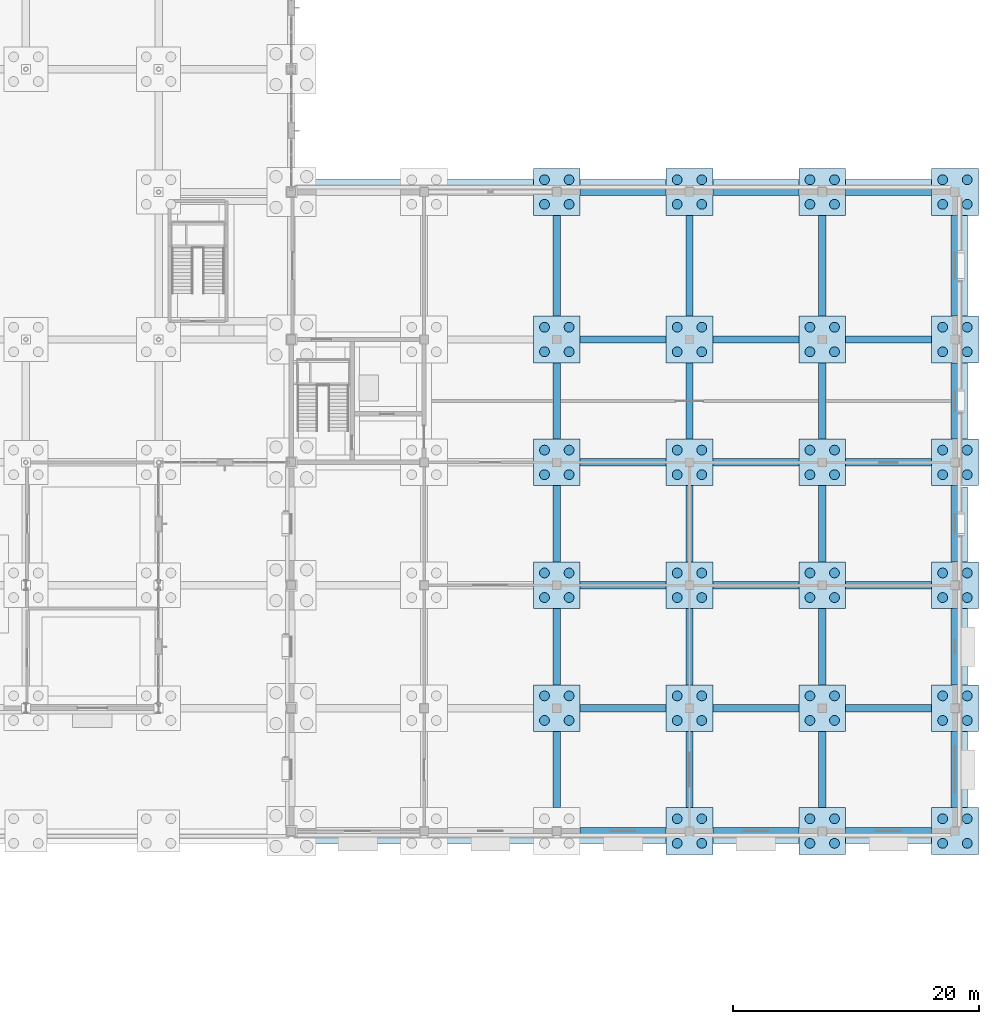
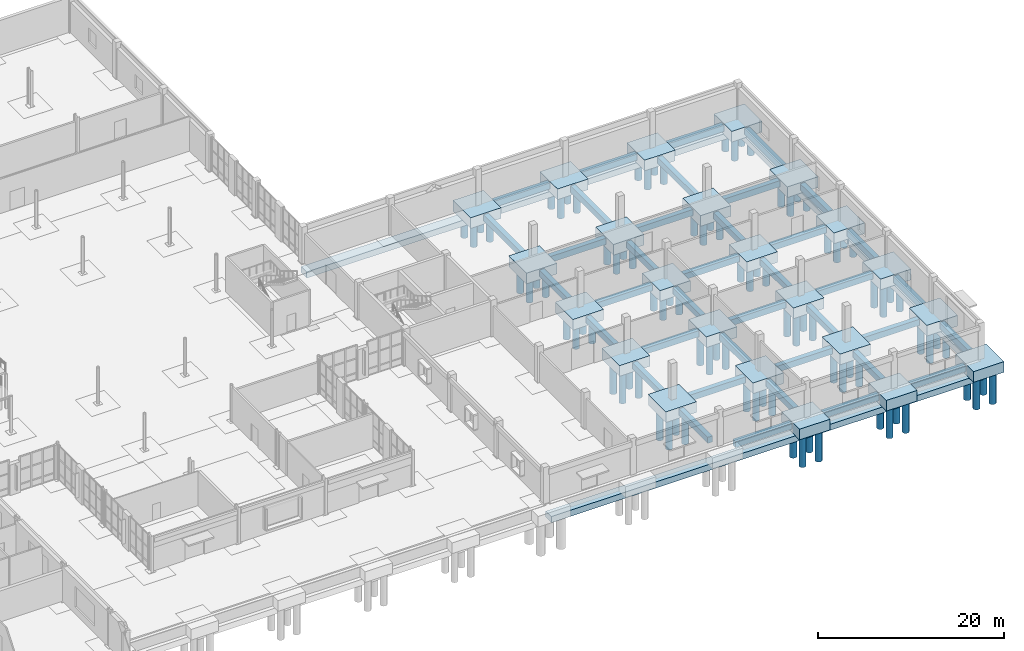
# One storey, part 7 of 73: 92 piles, 65 footings.
"""IFC4 building model written with IfcOpenShell, lengths in metres."""

from ifc_helpers import new_model, si_unit, direction, frame, origin, origin_2d, place, context, subcontext, project, spatial, rectangle, circle, extrude, material, material_profile, profile_set, type_object, element, save


model = new_model("IFC4")

# Units and contexts
model_context = context("Model", 3, precision=1e-05, world=origin(), true_north=direction((0.0, 1.0)))
body_context = subcontext(model_context, "Body", "Model", "MODEL_VIEW")
ifc_project = project(units=[si_unit("LENGTHUNIT", "METRE"), si_unit("AREAUNIT", "SQUARE_METRE"), si_unit("VOLUMEUNIT", "CUBIC_METRE"), si_unit("PLANEANGLEUNIT", "RADIAN"), si_unit("MASSUNIT", "GRAM", prefix="KILO")], contexts=[model_context])

# Site, building, storey
site_placement = place(None, origin())
site = spatial("IfcSite", under=ifc_project, at=site_placement, CompositionType="ELEMENT")
building_placement = place(site_placement, origin())
building = spatial("IfcBuilding", under=site, at=building_placement, Name="Tasgan Crest Museum", CompositionType="ELEMENT")
storey_placement = place(building_placement, origin())
storey = spatial("IfcBuildingStorey", under=building, at=storey_placement, Name="L00", CompositionType="ELEMENT", Elevation=0.0)

# Footings
ifc_material_1 = material(Name="Concrete C35/45", Category="concrete")
footing_type_1 = type_object("IfcFootingType", Name="FT-PC4-3800", PredefinedType="PILE_CAP", material=ifc_material_1)
for number, where, z_axis, x_axis, name in (
    (1, (129.60009765625, 20.0, -1.39990234375), (0.0, 0.0, 1.0), (1.0, 0.0, 0.0), "Pile cap 13/C"),
    (2, (129.60009765625, 30.0, -1.39990234375), (0.0, 0.0, 1.0), (1.0, 0.0, 0.0), "Pile cap 13/D"),
    (3, (129.60009765625, 40.0, -1.39990234375), (0.0, 0.0, 1.0), (1.0, 0.0, 0.0), "Pile cap 13/E"),
    (4, (129.60009765625, 50.0, -1.39990234375), (0.0, 0.0, 1.0), (1.0, 0.0, 0.0), "Pile cap 13/F"),
    (5, (129.60009765625, 62.0, -1.39990234375), (0.0, 0.0, 1.0), (1.0, 0.0, 0.0), "Pile cap 13/G"),
    (6, (140.39990234375, 10.0, -1.39990234375), (0.0, 0.0, 1.0), (1.0, 0.0, 0.0), "Pile cap 14/B"),
    (7, (140.39990234375, 20.0, -1.39990234375), (0.0, 0.0, 1.0), (1.0, 0.0, 0.0), "Pile cap 14/C"),
    (8, (140.39990234375, 30.0, -1.39990234375), (0.0, 0.0, 1.0), (1.0, 0.0, 0.0), "Pile cap 14/D"),
    (9, (140.39990234375, 40.0, -1.39990234375), (0.0, 0.0, 1.0), (1.0, 0.0, 0.0), "Pile cap 14/E"),
    (10, (140.39990234375, 50.0, -1.39990234375), (0.0, 0.0, 1.0), (1.0, 0.0, 0.0), "Pile cap 14/F"),
    (11, (140.39990234375, 62.0, -1.39990234375), (0.0, 0.0, 1.0), (1.0, 0.0, 0.0), "Pile cap 14/G"),
    (12, (151.199951171875, 10.0, -1.39990234375), (0.0, 0.0, 1.0), (1.0, 0.0, 0.0), "Pile cap 15/B"),
    (13, (151.199951171875, 20.0, -1.39990234375), (0.0, 0.0, 1.0), (1.0, 0.0, 0.0), "Pile cap 15/C"),
    (14, (151.199951171875, 30.0, -1.39990234375), (0.0, 0.0, 1.0), (1.0, 0.0, 0.0), "Pile cap 15/D"),
    (15, (151.199951171875, 40.0, -1.39990234375), (0.0, 0.0, 1.0), (1.0, 0.0, 0.0), "Pile cap 15/E"),
    (16, (151.199951171875, 50.0, -1.39990234375), (0.0, 0.0, 1.0), (1.0, 0.0, 0.0), "Pile cap 15/F"),
    (17, (151.199951171875, 62.0, -1.39990234375), (0.0, 0.0, 1.0), (1.0, 0.0, 0.0), "Pile cap 15/G"),
    (18, (162.0, 10.0, -1.39990234375), (0.0, 0.0, 1.0), (1.0, 0.0, 0.0), "Pile cap 16/B"),
    (19, (162.0, 20.0, -1.39990234375), (0.0, 0.0, 1.0), (1.0, 0.0, 0.0), "Pile cap 16/C"),
    (20, (162.0, 30.0, -1.39990234375), (0.0, 0.0, 1.0), (1.0, 0.0, 0.0), "Pile cap 16/D"),
    (21, (162.0, 40.0, -1.39990234375), (0.0, 0.0, 1.0), (1.0, 0.0, 0.0), "Pile cap 16/E"),
    (22, (162.0, 50.0, -1.39990234375), (0.0, 0.0, 1.0), (1.0, 0.0, 0.0), "Pile cap 16/F"),
    (23, (162.0, 62.0, -1.39990234375), (0.0, 0.0, 1.0), (1.0, 0.0, 0.0), "Pile cap 16/G"),
):
    element("IfcFooting", number, at=place(storey_placement, frame(where, z_axis=z_axis, x_axis=x_axis)), inside=storey, type_object=footing_type_1, Name=name, PredefinedType="PILE_CAP", context=body_context, shape_type="SweptSolid", body=[
        extrude(rectangle(XDim=3.800048828125, YDim=3.800048828125, at=origin_2d()), origin(), (0.0, 0.0, 1.0), 1.39990234375),
    ])
ifc_material_2 = material(Name="Concrete C35/45", Category="concrete")
ifc_material_profile_1 = material_profile(ifc_material_2, rectangle(XDim=1.199951171875, YDim=0.800048828125, at=origin_2d()), Name="SF 1200x800")
ifc_profile_set_1 = profile_set([ifc_material_profile_1], Name="Concrete C35/45")
footing_type_2 = type_object("IfcFootingType", Name="FT-SF-1200X800", PredefinedType="STRIP_FOOTING", material=ifc_profile_set_1)
footing_1_placement = place(storey_placement, frame((108.199951171875, 9.570068359375, -1.780029296875), z_axis=(1.0, 0.0, 0.0), x_axis=(0.0, 1.0, 0.0)))
element("IfcFooting", 24, at=footing_1_placement, inside=storey, type_object=footing_type_2, Name="Hillside plinth footing S-EAST", PredefinedType="STRIP_FOOTING", context=body_context, shape_type="SweptSolid", body=[
    extrude(rectangle(XDim=1.199951171875, YDim=0.800048828125, at=origin_2d()), origin(), (0.0, 0.0, 1.0), 53.60009765625),
])
footing_2_placement = place(storey_placement, frame((162.429931640625, 10.449951171875, -1.780029296875), z_axis=(0.0, 1.0, 0.0), x_axis=(-1.0, 0.0, 0.0)))
element("IfcFooting", 25, at=footing_2_placement, inside=storey, type_object=footing_type_2, Name="Hillside plinth footing E-LOW", PredefinedType="STRIP_FOOTING", context=body_context, shape_type="SweptSolid", body=[
    extrude(rectangle(XDim=1.199951171875, YDim=0.800048828125, at=origin_2d()), origin(), (0.0, 0.0, 1.0), 27.550048828125),
])
footing_3_placement = place(storey_placement, frame((162.429931640625, 38.199951171875, -1.780029296875), z_axis=(0.0, 1.0, 0.0), x_axis=(-1.0, 0.0, 0.0)))
element("IfcFooting", 26, at=footing_3_placement, inside=storey, type_object=footing_type_2, Name="Hillside plinth footing E-MID", PredefinedType="STRIP_FOOTING", context=body_context, shape_type="SweptSolid", body=[
    extrude(rectangle(XDim=1.199951171875, YDim=0.800048828125, at=origin_2d()), origin(), (0.0, 0.0, 1.0), 23.35009765625),
])
footing_4_placement = place(storey_placement, frame((108.35009765625, 62.429931640625, -1.780029296875), z_axis=(1.0, 0.0, 0.0), x_axis=(0.0, 1.0, 0.0)))
element("IfcFooting", 27, at=footing_4_placement, inside=storey, type_object=footing_type_2, Name="Hillside plinth footing N-EAST", PredefinedType="STRIP_FOOTING", context=body_context, shape_type="SweptSolid", body=[
    extrude(rectangle(XDim=1.199951171875, YDim=0.800048828125, at=origin_2d()), origin(), (0.0, 0.0, 1.0), 53.199951171875),
])
ifc_material_3 = material(Name="Concrete C35/45", Category="concrete")
ifc_material_profile_2 = material_profile(ifc_material_3, rectangle(XDim=0.60009765625, YDim=0.800048828125, at=origin_2d()), Name="TB 600x800")
ifc_profile_set_2 = profile_set([ifc_material_profile_2], Name="Concrete C35/45")
footing_type_3 = type_object("IfcFootingType", Name="FT-TB-600X800", PredefinedType="FOOTING_BEAM", material=ifc_profile_set_2)
for number, where, z_axis, x_axis, name in (
    (28, (131.5, 10.0, -0.550048828125), (1.0, 0.0, 0.0), (0.0, 1.0, 0.0), "Ground tie beam B 129.6-140.4"),
    (29, (142.300048828125, 10.0, -0.550048828125), (1.0, 0.0, 0.0), (0.0, 1.0, 0.0), "Ground tie beam B 140.4-151.2"),
    (30, (153.10009765625, 10.0, -0.550048828125), (1.0, 0.0, 0.0), (0.0, 1.0, 0.0), "Ground tie beam B 151.2-162.0"),
    (31, (131.5, 20.0, -0.550048828125), (1.0, 0.0, 0.0), (0.0, 1.0, 0.0), "Ground tie beam C 129.6-140.4"),
    (32, (142.300048828125, 20.0, -0.550048828125), (1.0, 0.0, 0.0), (0.0, 1.0, 0.0), "Ground tie beam C 140.4-151.2"),
    (33, (153.10009765625, 20.0, -0.550048828125), (1.0, 0.0, 0.0), (0.0, 1.0, 0.0), "Ground tie beam C 151.2-162.0"),
    (34, (131.5, 30.0, -0.550048828125), (1.0, 0.0, 0.0), (0.0, 1.0, 0.0), "Ground tie beam D 129.6-140.4"),
    (35, (142.300048828125, 30.0, -0.550048828125), (1.0, 0.0, 0.0), (0.0, 1.0, 0.0), "Ground tie beam D 140.4-151.2"),
    (36, (153.10009765625, 30.0, -0.550048828125), (1.0, 0.0, 0.0), (0.0, 1.0, 0.0), "Ground tie beam D 151.2-162.0"),
    (37, (131.5, 40.0, -0.550048828125), (1.0, 0.0, 0.0), (0.0, 1.0, 0.0), "Ground tie beam E 129.6-140.4"),
    (38, (142.300048828125, 40.0, -0.550048828125), (1.0, 0.0, 0.0), (0.0, 1.0, 0.0), "Ground tie beam E 140.4-151.2"),
    (39, (153.10009765625, 40.0, -0.550048828125), (1.0, 0.0, 0.0), (0.0, 1.0, 0.0), "Ground tie beam E 151.2-162.0"),
    (40, (131.5, 50.0, -0.550048828125), (1.0, 0.0, 0.0), (0.0, 1.0, 0.0), "Ground tie beam F 129.6-140.4"),
    (41, (142.300048828125, 50.0, -0.550048828125), (1.0, 0.0, 0.0), (0.0, 1.0, 0.0), "Ground tie beam F 140.4-151.2"),
    (42, (153.10009765625, 50.0, -0.550048828125), (1.0, 0.0, 0.0), (0.0, 1.0, 0.0), "Ground tie beam F 151.2-162.0"),
    (43, (131.5, 62.0, -0.550048828125), (1.0, 0.0, 0.0), (0.0, 1.0, 0.0), "Ground tie beam G 129.6-140.4"),
    (44, (142.300048828125, 62.0, -0.550048828125), (1.0, 0.0, 0.0), (0.0, 1.0, 0.0), "Ground tie beam G 140.4-151.2"),
    (45, (153.10009765625, 62.0, -0.550048828125), (1.0, 0.0, 0.0), (0.0, 1.0, 0.0), "Ground tie beam G 151.2-162.0"),
):
    element("IfcFooting", number, at=place(storey_placement, frame(where, z_axis=z_axis, x_axis=x_axis)), inside=storey, type_object=footing_type_3, Name=name, PredefinedType="FOOTING_BEAM", context=body_context, shape_type="SweptSolid", body=[
        extrude(rectangle(XDim=0.60009765625, YDim=0.800048828125, at=origin_2d()), origin(), (0.0, 0.0, 1.0), 7.0),
    ])
for number, where, z_axis, x_axis, name in (
    (46, (129.60009765625, 11.89990234375, -0.550048828125), (0.0, 1.0, 0.0), (-1.0, 0.0, 0.0), "Ground tie beam 13 10.0-20.0"),
    (47, (129.60009765625, 21.89990234375, -0.550048828125), (0.0, 1.0, 0.0), (-1.0, 0.0, 0.0), "Ground tie beam 13 20.0-30.0"),
    (48, (129.60009765625, 31.89990234375, -0.550048828125), (0.0, 1.0, 0.0), (-1.0, 0.0, 0.0), "Ground tie beam 13 30.0-40.0"),
    (49, (129.60009765625, 41.89990234375, -0.550048828125), (0.0, 1.0, 0.0), (-1.0, 0.0, 0.0), "Ground tie beam 13 40.0-50.0"),
):
    element("IfcFooting", number, at=place(storey_placement, frame(where, z_axis=z_axis, x_axis=x_axis)), inside=storey, type_object=footing_type_3, Name=name, PredefinedType="FOOTING_BEAM", context=body_context, shape_type="SweptSolid", body=[
        extrude(rectangle(XDim=0.60009765625, YDim=0.800048828125, at=origin_2d()), origin(), (0.0, 0.0, 1.0), 6.2001953125),
    ])
footing_5_placement = place(storey_placement, frame((129.60009765625, 51.89990234375, -0.550048828125), z_axis=(0.0, 1.0, 0.0), x_axis=(-1.0, 0.0, 0.0)))
element("IfcFooting", 50, at=footing_5_placement, inside=storey, type_object=footing_type_3, Name="Ground tie beam 13 50.0-62.0", PredefinedType="FOOTING_BEAM", context=body_context, shape_type="SweptSolid", body=[
    extrude(rectangle(XDim=0.60009765625, YDim=0.800048828125, at=origin_2d()), origin(), (0.0, 0.0, 1.0), 8.2001953125),
])
for number, where, z_axis, x_axis, name in (
    (51, (140.39990234375, 11.89990234375, -0.550048828125), (0.0, 1.0, 0.0), (-1.0, 0.0, 0.0), "Ground tie beam 14 10.0-20.0"),
    (52, (140.39990234375, 21.89990234375, -0.550048828125), (0.0, 1.0, 0.0), (-1.0, 0.0, 0.0), "Ground tie beam 14 20.0-30.0"),
    (53, (140.39990234375, 31.89990234375, -0.550048828125), (0.0, 1.0, 0.0), (-1.0, 0.0, 0.0), "Ground tie beam 14 30.0-40.0"),
    (54, (140.39990234375, 41.89990234375, -0.550048828125), (0.0, 1.0, 0.0), (-1.0, 0.0, 0.0), "Ground tie beam 14 40.0-50.0"),
):
    element("IfcFooting", number, at=place(storey_placement, frame(where, z_axis=z_axis, x_axis=x_axis)), inside=storey, type_object=footing_type_3, Name=name, PredefinedType="FOOTING_BEAM", context=body_context, shape_type="SweptSolid", body=[
        extrude(rectangle(XDim=0.60009765625, YDim=0.800048828125, at=origin_2d()), origin(), (0.0, 0.0, 1.0), 6.2001953125),
    ])
footing_6_placement = place(storey_placement, frame((140.39990234375, 51.89990234375, -0.550048828125), z_axis=(0.0, 1.0, 0.0), x_axis=(-1.0, 0.0, 0.0)))
element("IfcFooting", 55, at=footing_6_placement, inside=storey, type_object=footing_type_3, Name="Ground tie beam 14 50.0-62.0", PredefinedType="FOOTING_BEAM", context=body_context, shape_type="SweptSolid", body=[
    extrude(rectangle(XDim=0.60009765625, YDim=0.800048828125, at=origin_2d()), origin(), (0.0, 0.0, 1.0), 8.2001953125),
])
for number, where, z_axis, x_axis, name in (
    (56, (151.199951171875, 11.89990234375, -0.550048828125), (0.0, 1.0, 0.0), (-1.0, 0.0, 0.0), "Ground tie beam 15 10.0-20.0"),
    (57, (151.199951171875, 21.89990234375, -0.550048828125), (0.0, 1.0, 0.0), (-1.0, 0.0, 0.0), "Ground tie beam 15 20.0-30.0"),
    (58, (151.199951171875, 31.89990234375, -0.550048828125), (0.0, 1.0, 0.0), (-1.0, 0.0, 0.0), "Ground tie beam 15 30.0-40.0"),
    (59, (151.199951171875, 41.89990234375, -0.550048828125), (0.0, 1.0, 0.0), (-1.0, 0.0, 0.0), "Ground tie beam 15 40.0-50.0"),
):
    element("IfcFooting", number, at=place(storey_placement, frame(where, z_axis=z_axis, x_axis=x_axis)), inside=storey, type_object=footing_type_3, Name=name, PredefinedType="FOOTING_BEAM", context=body_context, shape_type="SweptSolid", body=[
        extrude(rectangle(XDim=0.60009765625, YDim=0.800048828125, at=origin_2d()), origin(), (0.0, 0.0, 1.0), 6.2001953125),
    ])
footing_7_placement = place(storey_placement, frame((151.199951171875, 51.89990234375, -0.550048828125), z_axis=(0.0, 1.0, 0.0), x_axis=(-1.0, 0.0, 0.0)))
element("IfcFooting", 60, at=footing_7_placement, inside=storey, type_object=footing_type_3, Name="Ground tie beam 15 50.0-62.0", PredefinedType="FOOTING_BEAM", context=body_context, shape_type="SweptSolid", body=[
    extrude(rectangle(XDim=0.60009765625, YDim=0.800048828125, at=origin_2d()), origin(), (0.0, 0.0, 1.0), 8.2001953125),
])
for number, where, z_axis, x_axis, name in (
    (61, (162.0, 11.89990234375, -0.550048828125), (0.0, 1.0, 0.0), (-1.0, 0.0, 0.0), "Ground tie beam 16 10.0-20.0"),
    (62, (162.0, 21.89990234375, -0.550048828125), (0.0, 1.0, 0.0), (-1.0, 0.0, 0.0), "Ground tie beam 16 20.0-30.0"),
    (63, (162.0, 31.89990234375, -0.550048828125), (0.0, 1.0, 0.0), (-1.0, 0.0, 0.0), "Ground tie beam 16 30.0-40.0"),
    (64, (162.0, 41.89990234375, -0.550048828125), (0.0, 1.0, 0.0), (-1.0, 0.0, 0.0), "Ground tie beam 16 40.0-50.0"),
):
    element("IfcFooting", number, at=place(storey_placement, frame(where, z_axis=z_axis, x_axis=x_axis)), inside=storey, type_object=footing_type_3, Name=name, PredefinedType="FOOTING_BEAM", context=body_context, shape_type="SweptSolid", body=[
        extrude(rectangle(XDim=0.60009765625, YDim=0.800048828125, at=origin_2d()), origin(), (0.0, 0.0, 1.0), 6.2001953125),
    ])
footing_8_placement = place(storey_placement, frame((162.0, 51.89990234375, -0.550048828125), z_axis=(0.0, 1.0, 0.0), x_axis=(-1.0, 0.0, 0.0)))
element("IfcFooting", 65, at=footing_8_placement, inside=storey, type_object=footing_type_3, Name="Ground tie beam 16 50.0-62.0", PredefinedType="FOOTING_BEAM", context=body_context, shape_type="SweptSolid", body=[
    extrude(rectangle(XDim=0.60009765625, YDim=0.800048828125, at=origin_2d()), origin(), (0.0, 0.0, 1.0), 8.2001953125),
])

# Piles
ifc_material_4 = material(Name="Concrete C35/45", Category="concrete")
ifc_material_profile_3 = material_profile(ifc_material_4, circle(Radius=0.39990234375, at=origin_2d()), Name="PILE D800")
ifc_profile_set_3 = profile_set([ifc_material_profile_3], Name="Concrete C35/45")
pile_type = type_object("IfcPileType", Name="PILE-B800", PredefinedType="BORED", material=ifc_profile_set_3)
for number, where, z_axis, x_axis, name in (
    (66, (128.60009765625, 19.0, -1.39990234375), (0.0, 0.0, -1.0), (1.0, 0.0, 0.0), "Bored pile 13/C-P1"),
    (67, (130.60009765625, 19.0, -1.39990234375), (0.0, 0.0, -1.0), (1.0, 0.0, 0.0), "Bored pile 13/C-P2"),
    (68, (128.60009765625, 21.0, -1.39990234375), (0.0, 0.0, -1.0), (1.0, 0.0, 0.0), "Bored pile 13/C-P3"),
    (69, (130.60009765625, 21.0, -1.39990234375), (0.0, 0.0, -1.0), (1.0, 0.0, 0.0), "Bored pile 13/C-P4"),
    (70, (128.60009765625, 29.0, -1.39990234375), (0.0, 0.0, -1.0), (1.0, 0.0, 0.0), "Bored pile 13/D-P1"),
    (71, (130.60009765625, 29.0, -1.39990234375), (0.0, 0.0, -1.0), (1.0, 0.0, 0.0), "Bored pile 13/D-P2"),
    (72, (128.60009765625, 31.0, -1.39990234375), (0.0, 0.0, -1.0), (1.0, 0.0, 0.0), "Bored pile 13/D-P3"),
    (73, (130.60009765625, 31.0, -1.39990234375), (0.0, 0.0, -1.0), (1.0, 0.0, 0.0), "Bored pile 13/D-P4"),
):
    element("IfcPile", number, at=place(storey_placement, frame(where, z_axis=z_axis, x_axis=x_axis)), inside=storey, type_object=pile_type, Name=name, PredefinedType="BORED", context=body_context, shape_type="SweptSolid", body=[
        extrude(circle(Radius=0.39990234375, at=origin_2d()), origin(), (0.0, 0.0, 1.0), 4.199951171875),
    ])
for number, where, z_axis, x_axis, name in (
    (74, (128.60009765625, 39.0, -1.39990234375), (0.0, 0.0, -1.0), (1.0, 0.0, 0.0), "Bored pile 13/E-P1"),
    (75, (130.60009765625, 39.0, -1.39990234375), (0.0, 0.0, -1.0), (1.0, 0.0, 0.0), "Bored pile 13/E-P2"),
    (76, (128.60009765625, 41.0, -1.39990234375), (0.0, 0.0, -1.0), (1.0, 0.0, 0.0), "Bored pile 13/E-P3"),
    (77, (130.60009765625, 41.0, -1.39990234375), (0.0, 0.0, -1.0), (1.0, 0.0, 0.0), "Bored pile 13/E-P4"),
    (78, (128.60009765625, 49.0, -1.39990234375), (0.0, 0.0, -1.0), (1.0, 0.0, 0.0), "Bored pile 13/F-P1"),
    (79, (130.60009765625, 49.0, -1.39990234375), (0.0, 0.0, -1.0), (1.0, 0.0, 0.0), "Bored pile 13/F-P2"),
    (80, (128.60009765625, 51.0, -1.39990234375), (0.0, 0.0, -1.0), (1.0, 0.0, 0.0), "Bored pile 13/F-P3"),
    (81, (130.60009765625, 51.0, -1.39990234375), (0.0, 0.0, -1.0), (1.0, 0.0, 0.0), "Bored pile 13/F-P4"),
    (82, (128.60009765625, 61.0, -1.39990234375), (0.0, 0.0, -1.0), (1.0, 0.0, 0.0), "Bored pile 13/G-P1"),
    (83, (130.60009765625, 61.0, -1.39990234375), (0.0, 0.0, -1.0), (1.0, 0.0, 0.0), "Bored pile 13/G-P2"),
    (84, (128.60009765625, 63.0, -1.39990234375), (0.0, 0.0, -1.0), (1.0, 0.0, 0.0), "Bored pile 13/G-P3"),
    (85, (130.60009765625, 63.0, -1.39990234375), (0.0, 0.0, -1.0), (1.0, 0.0, 0.0), "Bored pile 13/G-P4"),
):
    element("IfcPile", number, at=place(storey_placement, frame(where, z_axis=z_axis, x_axis=x_axis)), inside=storey, type_object=pile_type, Name=name, PredefinedType="BORED", context=body_context, shape_type="SweptSolid", body=[
        extrude(circle(Radius=0.39990234375, at=origin_2d()), origin(), (0.0, 0.0, 1.0), 3.10009765625),
    ])
for number, where, z_axis, x_axis, name in (
    (86, (139.39990234375, 9.0, -1.39990234375), (0.0, 0.0, -1.0), (1.0, 0.0, 0.0), "Bored pile 14/B-P1"),
    (87, (141.39990234375, 9.0, -1.39990234375), (0.0, 0.0, -1.0), (1.0, 0.0, 0.0), "Bored pile 14/B-P2"),
    (88, (139.39990234375, 11.0, -1.39990234375), (0.0, 0.0, -1.0), (1.0, 0.0, 0.0), "Bored pile 14/B-P3"),
    (89, (141.39990234375, 11.0, -1.39990234375), (0.0, 0.0, -1.0), (1.0, 0.0, 0.0), "Bored pile 14/B-P4"),
    (90, (139.39990234375, 19.0, -1.39990234375), (0.0, 0.0, -1.0), (1.0, 0.0, 0.0), "Bored pile 14/C-P1"),
    (91, (141.39990234375, 19.0, -1.39990234375), (0.0, 0.0, -1.0), (1.0, 0.0, 0.0), "Bored pile 14/C-P2"),
    (92, (139.39990234375, 21.0, -1.39990234375), (0.0, 0.0, -1.0), (1.0, 0.0, 0.0), "Bored pile 14/C-P3"),
    (93, (141.39990234375, 21.0, -1.39990234375), (0.0, 0.0, -1.0), (1.0, 0.0, 0.0), "Bored pile 14/C-P4"),
    (94, (139.39990234375, 29.0, -1.39990234375), (0.0, 0.0, -1.0), (1.0, 0.0, 0.0), "Bored pile 14/D-P1"),
    (95, (141.39990234375, 29.0, -1.39990234375), (0.0, 0.0, -1.0), (1.0, 0.0, 0.0), "Bored pile 14/D-P2"),
    (96, (139.39990234375, 31.0, -1.39990234375), (0.0, 0.0, -1.0), (1.0, 0.0, 0.0), "Bored pile 14/D-P3"),
    (97, (141.39990234375, 31.0, -1.39990234375), (0.0, 0.0, -1.0), (1.0, 0.0, 0.0), "Bored pile 14/D-P4"),
):
    element("IfcPile", number, at=place(storey_placement, frame(where, z_axis=z_axis, x_axis=x_axis)), inside=storey, type_object=pile_type, Name=name, PredefinedType="BORED", context=body_context, shape_type="SweptSolid", body=[
        extrude(circle(Radius=0.39990234375, at=origin_2d()), origin(), (0.0, 0.0, 1.0), 4.199951171875),
    ])
for number, where, z_axis, x_axis, name in (
    (98, (139.39990234375, 39.0, -1.39990234375), (0.0, 0.0, -1.0), (1.0, 0.0, 0.0), "Bored pile 14/E-P1"),
    (99, (141.39990234375, 39.0, -1.39990234375), (0.0, 0.0, -1.0), (1.0, 0.0, 0.0), "Bored pile 14/E-P2"),
    (100, (139.39990234375, 41.0, -1.39990234375), (0.0, 0.0, -1.0), (1.0, 0.0, 0.0), "Bored pile 14/E-P3"),
    (101, (141.39990234375, 41.0, -1.39990234375), (0.0, 0.0, -1.0), (1.0, 0.0, 0.0), "Bored pile 14/E-P4"),
    (102, (139.39990234375, 49.0, -1.39990234375), (0.0, 0.0, -1.0), (1.0, 0.0, 0.0), "Bored pile 14/F-P1"),
    (103, (141.39990234375, 49.0, -1.39990234375), (0.0, 0.0, -1.0), (1.0, 0.0, 0.0), "Bored pile 14/F-P2"),
    (104, (139.39990234375, 51.0, -1.39990234375), (0.0, 0.0, -1.0), (1.0, 0.0, 0.0), "Bored pile 14/F-P3"),
    (105, (141.39990234375, 51.0, -1.39990234375), (0.0, 0.0, -1.0), (1.0, 0.0, 0.0), "Bored pile 14/F-P4"),
    (106, (139.39990234375, 61.0, -1.39990234375), (0.0, 0.0, -1.0), (1.0, 0.0, 0.0), "Bored pile 14/G-P1"),
    (107, (141.39990234375, 61.0, -1.39990234375), (0.0, 0.0, -1.0), (1.0, 0.0, 0.0), "Bored pile 14/G-P2"),
    (108, (139.39990234375, 63.0, -1.39990234375), (0.0, 0.0, -1.0), (1.0, 0.0, 0.0), "Bored pile 14/G-P3"),
    (109, (141.39990234375, 63.0, -1.39990234375), (0.0, 0.0, -1.0), (1.0, 0.0, 0.0), "Bored pile 14/G-P4"),
):
    element("IfcPile", number, at=place(storey_placement, frame(where, z_axis=z_axis, x_axis=x_axis)), inside=storey, type_object=pile_type, Name=name, PredefinedType="BORED", context=body_context, shape_type="SweptSolid", body=[
        extrude(circle(Radius=0.39990234375, at=origin_2d()), origin(), (0.0, 0.0, 1.0), 3.10009765625),
    ])
for number, where, z_axis, x_axis, name in (
    (110, (150.199951171875, 9.0, -1.39990234375), (0.0, 0.0, -1.0), (1.0, 0.0, 0.0), "Bored pile 15/B-P1"),
    (111, (152.199951171875, 9.0, -1.39990234375), (0.0, 0.0, -1.0), (1.0, 0.0, 0.0), "Bored pile 15/B-P2"),
    (112, (150.199951171875, 11.0, -1.39990234375), (0.0, 0.0, -1.0), (1.0, 0.0, 0.0), "Bored pile 15/B-P3"),
    (113, (152.199951171875, 11.0, -1.39990234375), (0.0, 0.0, -1.0), (1.0, 0.0, 0.0), "Bored pile 15/B-P4"),
    (114, (150.199951171875, 19.0, -1.39990234375), (0.0, 0.0, -1.0), (1.0, 0.0, 0.0), "Bored pile 15/C-P1"),
    (115, (152.199951171875, 19.0, -1.39990234375), (0.0, 0.0, -1.0), (1.0, 0.0, 0.0), "Bored pile 15/C-P2"),
    (116, (150.199951171875, 21.0, -1.39990234375), (0.0, 0.0, -1.0), (1.0, 0.0, 0.0), "Bored pile 15/C-P3"),
    (117, (152.199951171875, 21.0, -1.39990234375), (0.0, 0.0, -1.0), (1.0, 0.0, 0.0), "Bored pile 15/C-P4"),
    (118, (150.199951171875, 29.0, -1.39990234375), (0.0, 0.0, -1.0), (1.0, 0.0, 0.0), "Bored pile 15/D-P1"),
    (119, (152.199951171875, 29.0, -1.39990234375), (0.0, 0.0, -1.0), (1.0, 0.0, 0.0), "Bored pile 15/D-P2"),
    (120, (150.199951171875, 31.0, -1.39990234375), (0.0, 0.0, -1.0), (1.0, 0.0, 0.0), "Bored pile 15/D-P3"),
    (121, (152.199951171875, 31.0, -1.39990234375), (0.0, 0.0, -1.0), (1.0, 0.0, 0.0), "Bored pile 15/D-P4"),
):
    element("IfcPile", number, at=place(storey_placement, frame(where, z_axis=z_axis, x_axis=x_axis)), inside=storey, type_object=pile_type, Name=name, PredefinedType="BORED", context=body_context, shape_type="SweptSolid", body=[
        extrude(circle(Radius=0.39990234375, at=origin_2d()), origin(), (0.0, 0.0, 1.0), 4.199951171875),
    ])
for number, where, z_axis, x_axis, name in (
    (122, (150.199951171875, 39.0, -1.39990234375), (0.0, 0.0, -1.0), (1.0, 0.0, 0.0), "Bored pile 15/E-P1"),
    (123, (152.199951171875, 39.0, -1.39990234375), (0.0, 0.0, -1.0), (1.0, 0.0, 0.0), "Bored pile 15/E-P2"),
    (124, (150.199951171875, 41.0, -1.39990234375), (0.0, 0.0, -1.0), (1.0, 0.0, 0.0), "Bored pile 15/E-P3"),
    (125, (152.199951171875, 41.0, -1.39990234375), (0.0, 0.0, -1.0), (1.0, 0.0, 0.0), "Bored pile 15/E-P4"),
    (126, (150.199951171875, 49.0, -1.39990234375), (0.0, 0.0, -1.0), (1.0, 0.0, 0.0), "Bored pile 15/F-P1"),
    (127, (152.199951171875, 49.0, -1.39990234375), (0.0, 0.0, -1.0), (1.0, 0.0, 0.0), "Bored pile 15/F-P2"),
    (128, (150.199951171875, 51.0, -1.39990234375), (0.0, 0.0, -1.0), (1.0, 0.0, 0.0), "Bored pile 15/F-P3"),
    (129, (152.199951171875, 51.0, -1.39990234375), (0.0, 0.0, -1.0), (1.0, 0.0, 0.0), "Bored pile 15/F-P4"),
    (130, (150.199951171875, 61.0, -1.39990234375), (0.0, 0.0, -1.0), (1.0, 0.0, 0.0), "Bored pile 15/G-P1"),
    (131, (152.199951171875, 61.0, -1.39990234375), (0.0, 0.0, -1.0), (1.0, 0.0, 0.0), "Bored pile 15/G-P2"),
    (132, (150.199951171875, 63.0, -1.39990234375), (0.0, 0.0, -1.0), (1.0, 0.0, 0.0), "Bored pile 15/G-P3"),
    (133, (152.199951171875, 63.0, -1.39990234375), (0.0, 0.0, -1.0), (1.0, 0.0, 0.0), "Bored pile 15/G-P4"),
):
    element("IfcPile", number, at=place(storey_placement, frame(where, z_axis=z_axis, x_axis=x_axis)), inside=storey, type_object=pile_type, Name=name, PredefinedType="BORED", context=body_context, shape_type="SweptSolid", body=[
        extrude(circle(Radius=0.39990234375, at=origin_2d()), origin(), (0.0, 0.0, 1.0), 3.10009765625),
    ])
for number, where, z_axis, x_axis, name in (
    (134, (161.0, 9.0, -1.39990234375), (0.0, 0.0, -1.0), (1.0, 0.0, 0.0), "Bored pile 16/B-P1"),
    (135, (163.0, 9.0, -1.39990234375), (0.0, 0.0, -1.0), (1.0, 0.0, 0.0), "Bored pile 16/B-P2"),
    (136, (161.0, 11.0, -1.39990234375), (0.0, 0.0, -1.0), (1.0, 0.0, 0.0), "Bored pile 16/B-P3"),
    (137, (163.0, 11.0, -1.39990234375), (0.0, 0.0, -1.0), (1.0, 0.0, 0.0), "Bored pile 16/B-P4"),
    (138, (161.0, 19.0, -1.39990234375), (0.0, 0.0, -1.0), (1.0, 0.0, 0.0), "Bored pile 16/C-P1"),
    (139, (163.0, 19.0, -1.39990234375), (0.0, 0.0, -1.0), (1.0, 0.0, 0.0), "Bored pile 16/C-P2"),
    (140, (161.0, 21.0, -1.39990234375), (0.0, 0.0, -1.0), (1.0, 0.0, 0.0), "Bored pile 16/C-P3"),
    (141, (163.0, 21.0, -1.39990234375), (0.0, 0.0, -1.0), (1.0, 0.0, 0.0), "Bored pile 16/C-P4"),
    (142, (161.0, 29.0, -1.39990234375), (0.0, 0.0, -1.0), (1.0, 0.0, 0.0), "Bored pile 16/D-P1"),
    (143, (163.0, 29.0, -1.39990234375), (0.0, 0.0, -1.0), (1.0, 0.0, 0.0), "Bored pile 16/D-P2"),
    (144, (161.0, 31.0, -1.39990234375), (0.0, 0.0, -1.0), (1.0, 0.0, 0.0), "Bored pile 16/D-P3"),
    (145, (163.0, 31.0, -1.39990234375), (0.0, 0.0, -1.0), (1.0, 0.0, 0.0), "Bored pile 16/D-P4"),
):
    element("IfcPile", number, at=place(storey_placement, frame(where, z_axis=z_axis, x_axis=x_axis)), inside=storey, type_object=pile_type, Name=name, PredefinedType="BORED", context=body_context, shape_type="SweptSolid", body=[
        extrude(circle(Radius=0.39990234375, at=origin_2d()), origin(), (0.0, 0.0, 1.0), 4.199951171875),
    ])
for number, where, z_axis, x_axis, name in (
    (146, (161.0, 39.0, -1.39990234375), (0.0, 0.0, -1.0), (1.0, 0.0, 0.0), "Bored pile 16/E-P1"),
    (147, (163.0, 39.0, -1.39990234375), (0.0, 0.0, -1.0), (1.0, 0.0, 0.0), "Bored pile 16/E-P2"),
    (148, (161.0, 41.0, -1.39990234375), (0.0, 0.0, -1.0), (1.0, 0.0, 0.0), "Bored pile 16/E-P3"),
    (149, (163.0, 41.0, -1.39990234375), (0.0, 0.0, -1.0), (1.0, 0.0, 0.0), "Bored pile 16/E-P4"),
    (150, (161.0, 49.0, -1.39990234375), (0.0, 0.0, -1.0), (1.0, 0.0, 0.0), "Bored pile 16/F-P1"),
    (151, (163.0, 49.0, -1.39990234375), (0.0, 0.0, -1.0), (1.0, 0.0, 0.0), "Bored pile 16/F-P2"),
    (152, (161.0, 51.0, -1.39990234375), (0.0, 0.0, -1.0), (1.0, 0.0, 0.0), "Bored pile 16/F-P3"),
    (153, (163.0, 51.0, -1.39990234375), (0.0, 0.0, -1.0), (1.0, 0.0, 0.0), "Bored pile 16/F-P4"),
    (154, (161.0, 61.0, -1.39990234375), (0.0, 0.0, -1.0), (1.0, 0.0, 0.0), "Bored pile 16/G-P1"),
    (155, (163.0, 61.0, -1.39990234375), (0.0, 0.0, -1.0), (1.0, 0.0, 0.0), "Bored pile 16/G-P2"),
    (156, (161.0, 63.0, -1.39990234375), (0.0, 0.0, -1.0), (1.0, 0.0, 0.0), "Bored pile 16/G-P3"),
    (157, (163.0, 63.0, -1.39990234375), (0.0, 0.0, -1.0), (1.0, 0.0, 0.0), "Bored pile 16/G-P4"),
):
    element("IfcPile", number, at=place(storey_placement, frame(where, z_axis=z_axis, x_axis=x_axis)), inside=storey, type_object=pile_type, Name=name, PredefinedType="BORED", context=body_context, shape_type="SweptSolid", body=[
        extrude(circle(Radius=0.39990234375, at=origin_2d()), origin(), (0.0, 0.0, 1.0), 3.10009765625),
    ])

save(model, "model.ifc")
